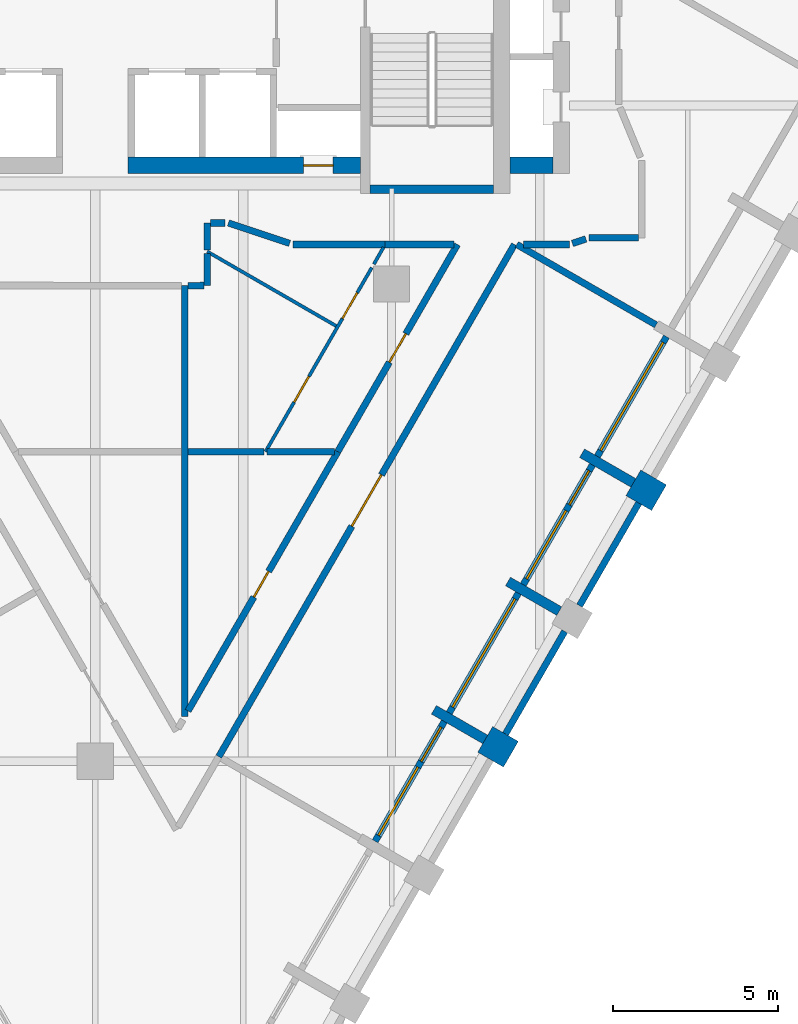
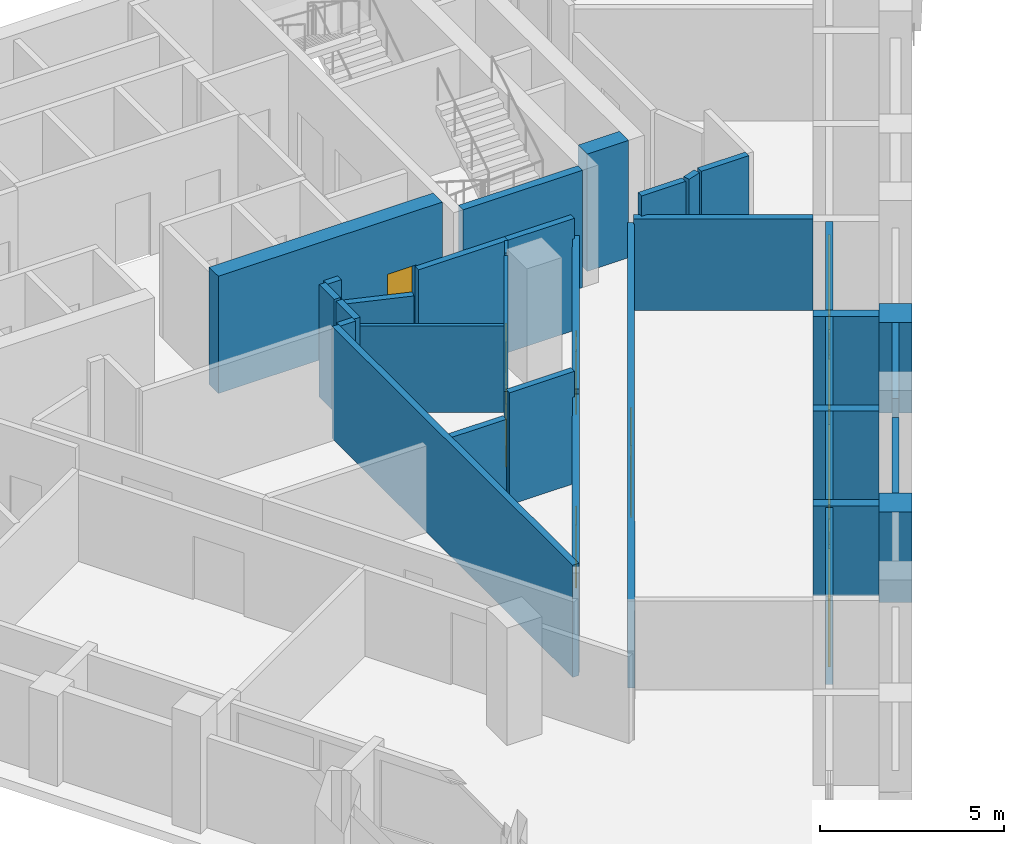
# One storey, part 4 of 9: 34 walls, 8 doors, 4 windows, 12 openings.
"""IFC4 building model written with IfcOpenShell, lengths in metres."""

from ifc_helpers import new_model, si_unit, direction, frame, frame_2d, origin, place, context, subcontext, project, spatial, polyline, rectangle, outline, extrude, material, layer, layer_set, type_object, element, fill, save


model = new_model("IFC4")

# Units and contexts
model_context = context("Model", 3, precision=1e-05, world=origin(), true_north=direction((0.0, 1.0)))
body_context = subcontext(model_context, "Body", "Model", "MODEL_VIEW")
ifc_project = project(units=[si_unit("LENGTHUNIT", "METRE"), si_unit("AREAUNIT", "SQUARE_METRE"), si_unit("VOLUMEUNIT", "CUBIC_METRE"), si_unit("PLANEANGLEUNIT", "RADIAN"), si_unit("MASSUNIT", "GRAM", prefix="KILO")], contexts=[model_context])

# Site, building, storey
site_placement = place(None, origin())
site = spatial("IfcSite", under=ifc_project, at=site_placement, CompositionType="ELEMENT")
building_placement = place(site_placement, origin())
building = spatial("IfcBuilding", under=site, at=building_placement, Name="Calabash Gate Tower", CompositionType="ELEMENT")
storey_placement = place(building_placement, frame((0.0, 0.0, 196.39990234375)))
storey = spatial("IfcBuildingStorey", under=building, at=storey_placement, Name="L46", CompositionType="ELEMENT", Elevation=196.39990234375)

# Walls
ifc_material_1 = material(Name="Terracotta brick masonry, exposed face", Category="masonry")
ifc_layer_1 = layer(ifc_material_1, 0.89990234375)
ifc_layer_set_1 = layer_set([ifc_layer_1], Name="Brick end wall 900")
wall_type_1 = type_object("IfcWallType", Name="Brick end wall 900", PredefinedType="SOLIDWALL", material=ifc_layer_set_1)
for number, where, z_axis, x_axis, name in (
    (1, (11.84619140625, -11.33740234375, 0.0), (0.0, 0.0, 1.0), (0.865896406789, -0.500223362819, 0.0), "Brick pier S13 SE2.3"),
    (2, (17.12548828125, -3.9931640625, 0.0), (0.0, 0.0, 1.0), (-0.866013897511, 0.50001992892, 0.0), "Brick pier S13 SE2.5"),
):
    element("IfcWall", number, at=place(storey_placement, frame(where, z_axis=z_axis, x_axis=x_axis)), inside=storey, type_object=wall_type_1, Name=name, PredefinedType="SOLIDWALL", context=body_context, shape_type="SweptSolid", body=[
        extrude(rectangle(XDim=0.89990234375, YDim=0.89990234375, at=frame_2d((0.449951171875, 0.0))), origin(), (0.0, 0.0, 1.0), 3.0),
    ])
ifc_material_2 = material(Name="Terracotta brick masonry, exposed face", Category="masonry")
ifc_layer_2 = layer(ifc_material_2, 0.300048828125)
ifc_layer_set_2 = layer_set([ifc_layer_2], Name="Brick loggia cheek wall 300")
wall_type_2 = type_object("IfcWallType", Name="Brick loggia cheek wall 300", PredefinedType="SOLIDWALL", material=ifc_layer_set_2)
wall_1_placement = place(storey_placement, frame((11.84619140625, -11.33740234375, 0.0), z_axis=(0.0, 0.0, 1.0), x_axis=(-0.866047807691, 0.499961193289, 0.0)))
element("IfcWall", 3, at=wall_1_placement, inside=storey, type_object=wall_type_2, Name="Loggia cheek S13 SE2.3", PredefinedType="SOLIDWALL", context=body_context, shape_type="SweptSolid", body=[
    extrude(rectangle(XDim=1.800048828125, YDim=0.300048828125, at=frame_2d((0.89990234375, 0.0))), origin(), (0.0, 0.0, 1.0), 3.0),
])
wall_2_placement = place(storey_placement, frame((14.09521484375, -7.43994140625, 0.0), z_axis=(0.0, 0.0, 1.0), x_axis=(-0.86597086914, 0.50009444488, 0.0)))
element("IfcWall", 4, at=wall_2_placement, inside=storey, type_object=wall_type_2, Name="Loggia cheek S13 SE2.4", PredefinedType="SOLIDWALL", context=body_context, shape_type="SweptSolid", body=[
    extrude(rectangle(XDim=1.799072265625, YDim=0.300048828125, at=frame_2d((0.8994140625, 0.0))), origin(), (0.0, 0.0, 1.0), 3.0),
])
wall_3_placement = place(storey_placement, frame((16.34619140625, -3.543212890625, 0.0), z_axis=(0.0, 0.0, 1.0), x_axis=(-0.866047807691, 0.499961193289, 0.0)))
element("IfcWall", 5, at=wall_3_placement, inside=storey, type_object=wall_type_2, Name="Loggia cheek S13 SE2.5", PredefinedType="SOLIDWALL", context=body_context, shape_type="SweptSolid", body=[
    extrude(rectangle(XDim=1.800048828125, YDim=0.300048828125, at=frame_2d((0.89990234375, 0.0))), origin(), (0.0, 0.0, 1.0), 3.0),
])
ifc_material_3 = material(Name="Concrete C70/85", Category="concrete")
ifc_layer_3 = layer(ifc_material_3, 0.25)
ifc_layer_set_3 = layer_set([ifc_layer_3], Name="Core wall 250 Concrete C70/85")
wall_type_3 = type_object("IfcWallType", Name="Core wall 250 Concrete C70/85", PredefinedType="SHEAR", material=ifc_layer_set_3)
wall_4_placement = place(storey_placement, frame((8.35009765625, 5.377685546875, 0.0), z_axis=(0.0, 0.0, 1.0), x_axis=(1.0, 0.0, 0.0)))
element("IfcWall", 6, at=wall_4_placement, inside=storey, type_object=wall_type_3, Name="Core wall Z4-SSE L46", PredefinedType="SHEAR", context=body_context, shape_type="SweptSolid", body=[
    extrude(rectangle(XDim=3.75, YDim=0.25, at=frame_2d((1.875, 0.0))), origin(), (0.0, 0.0, 1.0), 3.900146484375),
])

# Wall, opening, door
ifc_material_4 = material(Name="Concrete C70/85", Category="concrete")
ifc_layer_4 = layer(ifc_material_4, 0.5)
ifc_layer_set_4 = layer_set([ifc_layer_4], Name="Core wall 500 Concrete C70/85")
wall_type_4 = type_object("IfcWallType", Name="Core wall 500 Concrete C70/85", PredefinedType="SHEAR", material=ifc_layer_set_4)
wall_5_placement = place(storey_placement, frame((1.0, 6.1025390625, 0.0), z_axis=(0.0, 0.0, 1.0), x_axis=(1.0, 0.0, 0.0)))
wall_5 = element("IfcWall", 7, at=wall_5_placement, inside=storey, type_object=wall_type_4, Name="Core wall Z4-SB L46", PredefinedType="SHEAR", context=body_context, shape_type="SweptSolid", body=[
    extrude(rectangle(XDim=7.050048828125, YDim=0.5, at=frame_2d((3.52490234375, 0.0))), origin(), (0.0, 0.0, 1.0), 3.900146484375),
])
opening_1_placement = place(wall_5_placement, frame((5.324951171875, 0.0, 0.0)))
opening_1 = element("IfcOpeningElement", 8, at=opening_1_placement, cuts=wall_5, Name="Opening O5-016", PredefinedType="OPENING", context=body_context, shape_type="SweptSolid", body=[
    extrude(rectangle(XDim=0.89990234375, YDim=2.10009765625, at=frame_2d((0.449951171875, 1.050048828125))), frame((0.0, 0.260009765625, 0.0), z_axis=(0.0, -1.0, 0.0), x_axis=(1.0, 0.0, 0.0)), (0.0, 0.0, 1.0), 0.52001953125),
])
ifc_material_5 = material(Name="Steel fire door set with fire-resisting glazing", Category="steel")
door_type_1 = type_object("IfcDoorType", Name="Fire door D07 900x2100 FD90", OperationType="NOTDEFINED", PredefinedType="DOOR", material=ifc_material_5)
door_1_placement = place(opening_1_placement, origin())
door_1 = element("IfcDoor", 9, at=door_1_placement, inside=storey, type_object=door_type_1, Name="Mechanical Riser E door", OperationType="SINGLE_SWING_RIGHT", OverallHeight=2.10009765625, OverallWidth=0.89990234375, PredefinedType="DOOR", context=body_context, shape_type="SweptSolid", body=[
    extrude(rectangle(XDim=0.89990234375, YDim=2.10009765625, at=frame_2d((0.449951171875, 1.050048828125))), frame((0.0, 0.02490234375, 0.0), z_axis=(0.0, -1.0, 0.0), x_axis=(1.0, 0.0, 0.0)), (0.0, 0.0, 1.0), 0.050048828125),
])
fill(opening_1, door_1)

# Wall
wall_6_placement = place(storey_placement, frame((12.60009765625, 6.1025390625, 0.0), z_axis=(0.0, 0.0, 1.0), x_axis=(1.0, 0.0, 0.0)))
element("IfcWall", 10, at=wall_6_placement, inside=storey, type_object=wall_type_4, Name="Core wall Z4-SE L46", PredefinedType="SHEAR", context=body_context, shape_type="SweptSolid", body=[
    extrude(rectangle(XDim=1.2998046875, YDim=0.5, at=frame_2d((0.64990234375, 0.0))), origin(), (0.0, 0.0, 1.0), 3.900146484375),
])

# Wall, openings, doors
ifc_material_6 = material(Name="Gypsum board on steel studs, mineral wool", Category="steel")
ifc_layer_5 = layer(ifc_material_6, 0.10009765625)
ifc_layer_set_5 = layer_set([ifc_layer_5], Name="Partition 100 gypsum board")
wall_type_5 = type_object("IfcWallType", Name="Partition 100 gypsum board", PredefinedType="PARTITIONING", material=ifc_layer_set_5)
wall_7_placement = place(storey_placement, frame((5.17138671875, -2.5947265625, 0.0), z_axis=(0.0, 0.0, 1.0), x_axis=(0.499959304802, 0.866048897893, 0.0)))
wall_7 = element("IfcWall", 11, at=wall_7_placement, inside=storey, type_object=wall_type_5, Name="Partition", PredefinedType="PARTITIONING", context=body_context, shape_type="SweptSolid", body=[
    extrude(rectangle(XDim=6.4541015625, YDim=0.10009765625, at=frame_2d((3.22705078125, 0.0))), origin(), (0.0, 0.0, 1.0), 3.72998046875),
])
opening_2_placement = place(wall_7_placement, frame((1.7392578125, 0.0, 0.0)))
opening_2 = element("IfcOpeningElement", 12, at=opening_2_placement, cuts=wall_7, Name="Opening 46-48-014", PredefinedType="OPENING", context=body_context, shape_type="SweptSolid", body=[
    extrude(rectangle(XDim=0.89990234375, YDim=2.10009765625, at=frame_2d((0.449951171875, 1.050048828125))), frame((0.0, 0.06005859375, 0.0), z_axis=(0.0, -1.0, 0.0), x_axis=(1.0, 0.0, 0.0)), (0.0, 0.0, 1.0), 0.1201171875),
])
opening_3_placement = place(wall_7_placement, frame((4.67333984375, 0.0, 0.0)))
opening_3 = element("IfcOpeningElement", 13, at=opening_3_placement, cuts=wall_7, Name="Opening 46-48-015", PredefinedType="OPENING", context=body_context, shape_type="SweptSolid", body=[
    extrude(rectangle(XDim=0.89990234375, YDim=2.10009765625, at=frame_2d((0.449951171875, 1.050048828125))), frame((0.0, 0.06005859375, 0.0), z_axis=(0.0, -1.0, 0.0), x_axis=(1.0, 0.0, 0.0)), (0.0, 0.0, 1.0), 0.1201171875),
])
ifc_material_7 = material(Name="Painted timber door", Category="wood")
door_type_2 = type_object("IfcDoorType", Name="WD1 WC door 900x2100", OperationType="NOTDEFINED", PredefinedType="DOOR", material=ifc_material_7)
door_2_placement = place(opening_2_placement, origin())
door_2 = element("IfcDoor", 14, at=door_2_placement, inside=storey, type_object=door_type_2, Name="WC door", OperationType="SINGLE_SWING_LEFT", OverallHeight=2.10009765625, OverallWidth=0.89990234375, PredefinedType="DOOR", context=body_context, shape_type="SweptSolid", body=[
    extrude(rectangle(XDim=0.89990234375, YDim=2.10009765625, at=frame_2d((0.449951171875, 1.050048828125))), frame((0.0, 0.02490234375, 0.0), z_axis=(0.0, -1.0, 0.0), x_axis=(1.0, 0.0, 0.0)), (0.0, 0.0, 1.0), 0.050048828125),
])
fill(opening_2, door_2)
door_3_placement = place(opening_3_placement, origin())
door_3 = element("IfcDoor", 15, at=door_3_placement, inside=storey, type_object=door_type_2, Name="WC door", OperationType="SINGLE_SWING_RIGHT", OverallHeight=2.10009765625, OverallWidth=0.89990234375, PredefinedType="DOOR", context=body_context, shape_type="SweptSolid", body=[
    extrude(rectangle(XDim=0.89990234375, YDim=2.10009765625, at=frame_2d((0.449951171875, 1.050048828125))), frame((0.0, 0.02490234375, 0.0), z_axis=(0.0, -1.0, 0.0), x_axis=(1.0, 0.0, 0.0)), (0.0, 0.0, 1.0), 0.050048828125),
])
fill(opening_3, door_3)

# Walls
wall_8_placement = place(storey_placement, frame((8.461181640625, 3.10009765625, 0.0), z_axis=(0.0, 0.0, 1.0), x_axis=(0.497827271586, 0.867276200334, 0.0)))
element("IfcWall", 16, at=wall_8_placement, inside=storey, type_object=wall_type_5, Name="Partition", PredefinedType="PARTITIONING", context=body_context, shape_type="SweptSolid", body=[
    extrude(rectangle(XDim=0.591552734375, YDim=0.10009765625, at=frame_2d((0.2958984375, 0.0))), origin(), (0.0, 0.0, 1.0), 3.72998046875),
])
wall_9_placement = place(storey_placement, frame((3.400390625, 3.484375, 0.0), z_axis=(0.0, 0.0, 1.0), x_axis=(0.866039077776, -0.499976315204, 0.0)))
element("IfcWall", 17, at=wall_9_placement, inside=storey, type_object=wall_type_5, Name="Partition", PredefinedType="PARTITIONING", context=body_context, shape_type="SweptSolid", body=[
    extrude(rectangle(XDim=4.523193359375, YDim=0.10009765625, at=frame_2d((2.26171875, 0.0))), origin(), (0.0, 0.0, 1.0), 2.88427734375),
])

# Wall, opening, door
ifc_material_8 = material(Name="Gypsum board on steel studs, mineral wool", Category="steel")
ifc_layer_6 = layer(ifc_material_8, 0.199951171875)
ifc_layer_set_6 = layer_set([ifc_layer_6], Name="Partition 200 gypsum board EI 60")
wall_type_6 = type_object("IfcWallType", Name="Partition 200 gypsum board EI 60", PredefinedType="PARTITIONING", material=ifc_layer_set_6)
wall_10_placement = place(storey_placement, frame((2.81689453125, -10.47265625, 0.0), z_axis=(0.0, 0.0, 1.0), x_axis=(0.500185489254, 0.865918285024, 0.0)))
wall_10 = element("IfcWall", 18, at=wall_10_placement, inside=storey, type_object=wall_type_6, Name="Partition", PredefinedType="PARTITIONING", context=body_context, shape_type="SweptSolid", body=[
    extrude(rectangle(XDim=9.09716796875, YDim=0.199951171875, at=frame_2d((4.548583984375, 0.0))), origin(), (0.0, 0.0, 1.0), 2.88427734375),
])
opening_4_placement = place(wall_10_placement, frame((3.995361328125, 0.0, 0.0)))
opening_4 = element("IfcOpeningElement", 19, at=opening_4_placement, cuts=wall_10, Name="Opening 46-48-005", PredefinedType="OPENING", context=body_context, shape_type="SweptSolid", body=[
    extrude(rectangle(XDim=0.89990234375, YDim=2.10009765625, at=frame_2d((0.449951171875, 1.050048828125))), frame((0.0, 0.10986328125, 0.0), z_axis=(0.0, -1.0, 0.0), x_axis=(1.0, 0.0, 0.0)), (0.0, 0.0, 1.0), 0.219970703125),
])
ifc_material_9 = material(Name="Steel fire door set with fire-resisting glazing", Category="steel")
door_type_3 = type_object("IfcDoorType", Name="SD3 Store door 900x2100", OperationType="NOTDEFINED", PredefinedType="DOOR", material=ifc_material_9)
door_4_placement = place(opening_4_placement, origin())
door_4 = element("IfcDoor", 20, at=door_4_placement, inside=storey, type_object=door_type_3, Name="Store door", OperationType="SINGLE_SWING_LEFT", OverallHeight=2.10009765625, OverallWidth=0.89990234375, PredefinedType="DOOR", context=body_context, shape_type="SweptSolid", body=[
    extrude(rectangle(XDim=0.89990234375, YDim=2.10009765625, at=frame_2d((0.449951171875, 1.050048828125))), frame((0.0, 0.02490234375, 0.0), z_axis=(0.0, -1.0, 0.0), x_axis=(1.0, 0.0, 0.0)), (0.0, 0.0, 1.0), 0.050048828125),
])
fill(opening_4, door_4)

# Walls
wall_11_placement = place(storey_placement, frame((2.81689453125, -2.593017578125, 0.0), z_axis=(0.0, 0.0, 1.0), x_axis=(1.0, 0.0, 0.0)))
element("IfcWall", 21, at=wall_11_placement, inside=storey, type_object=wall_type_6, Name="Partition", PredefinedType="PARTITIONING", context=body_context, shape_type="SweptSolid", body=[
    extrude(rectangle(XDim=2.307373046875, YDim=0.199951171875, at=frame_2d((1.15380859375, 0.0))), origin(), (0.0, 0.0, 1.0), 2.88427734375),
])
wall_12_placement = place(storey_placement, frame((5.223388671875, -2.5947265625, 0.0), z_axis=(0.0, 0.0, 1.0), x_axis=(0.999999821446, 0.000597585647, 0.0)))
element("IfcWall", 22, at=wall_12_placement, inside=storey, type_object=wall_type_6, Name="Partition", PredefinedType="PARTITIONING", context=body_context, shape_type="SweptSolid", body=[
    extrude(rectangle(XDim=2.042724609375, YDim=0.199951171875, at=frame_2d((1.021484375, 0.0))), origin(), (0.0, 0.0, 1.0), 3.72998046875),
])

# Wall, opening, door
wall_13_placement = place(storey_placement, frame((7.365966796875, -2.59326171875, 0.0), z_axis=(0.0, 0.0, 1.0), x_axis=(0.500232263529, 0.865891264839, 0.0)))
wall_13 = element("IfcWall", 23, at=wall_13_placement, inside=storey, type_object=wall_type_6, Name="Partition", PredefinedType="PARTITIONING", context=body_context, shape_type="SweptSolid", body=[
    extrude(rectangle(XDim=7.267578125, YDim=0.199951171875, at=frame_2d((3.6337890625, 0.0))), origin(), (0.0, 0.0, 1.0), 3.052001953125),
])
opening_5_placement = place(wall_13_placement, frame((3.133544921875, 0.0, 0.0)))
opening_5 = element("IfcOpeningElement", 24, at=opening_5_placement, cuts=wall_13, Name="Opening 46-48-013", PredefinedType="OPENING", context=body_context, shape_type="SweptSolid", body=[
    extrude(rectangle(XDim=1.0, YDim=2.10009765625, at=frame_2d((0.5, 1.050048828125))), frame((0.0, 0.10986328125, 0.0), z_axis=(0.0, -1.0, 0.0), x_axis=(1.0, 0.0, 0.0)), (0.0, 0.0, 1.0), 0.219970703125),
])
ifc_material_10 = material(Name="Steel fire door set with fire-resisting glazing", Category="steel")
door_type_4 = type_object("IfcDoorType", Name="WD3 WC lobby door 1000x2100", OperationType="NOTDEFINED", PredefinedType="DOOR", material=ifc_material_10)
door_5_placement = place(opening_5_placement, origin())
door_5 = element("IfcDoor", 25, at=door_5_placement, inside=storey, type_object=door_type_4, Name="WC lobby door", OperationType="SINGLE_SWING_LEFT", OverallHeight=2.10009765625, OverallWidth=1.0, PredefinedType="DOOR", context=body_context, shape_type="SweptSolid", body=[
    extrude(rectangle(XDim=1.0, YDim=2.10009765625, at=frame_2d((0.5, 1.050048828125))), frame((0.0, 0.02490234375, 0.0), z_axis=(0.0, -1.0, 0.0), x_axis=(1.0, 0.0, 0.0)), (0.0, 0.0, 1.0), 0.050048828125),
])
fill(opening_5, door_5)

# Walls
wall_14_placement = place(storey_placement, frame((2.717041015625, -10.645751953125, 0.0), z_axis=(0.0, 0.0, 1.0), x_axis=(0.0, 1.0, 0.0)))
element("IfcWall", 26, at=wall_14_placement, inside=storey, type_object=wall_type_6, Name="Partition", PredefinedType="PARTITIONING", context=body_context, shape_type="SweptSolid", body=[
    extrude(rectangle(XDim=13.096435546875, YDim=0.199951171875, at=frame_2d((6.54833984375, 0.0))), origin(), (0.0, 0.0, 1.0), 3.72998046875),
])
wall_15_placement = place(storey_placement, frame((2.81689453125, 2.45068359375, 0.0), z_axis=(0.0, 0.0, 1.0), x_axis=(0.999995404022, 0.003031820325, 0.0)))
element("IfcWall", 27, at=wall_15_placement, inside=storey, type_object=wall_type_6, Name="Partition", PredefinedType="PARTITIONING", context=body_context, shape_type="SweptSolid", body=[
    extrude(rectangle(XDim=0.483154296875, YDim=0.199951171875, at=frame_2d((0.24169921875, 0.0))), origin(), (0.0, 0.0, 1.0), 3.72998046875),
])
wall_16_placement = place(storey_placement, frame((3.39990234375, 2.452392578125, 0.0), z_axis=(0.0, 0.0, 1.0), x_axis=(0.001995008499, 0.999998009969, 0.0)))
element("IfcWall", 28, at=wall_16_placement, inside=storey, type_object=wall_type_6, Name="Partition", PredefinedType="PARTITIONING", context=body_context, shape_type="SweptSolid", body=[
    extrude(rectangle(XDim=0.97900390625, YDim=0.199951171875, at=frame_2d((0.489501953125, 0.0))), origin(), (0.0, 0.0, 1.0), 3.72998046875),
])
wall_17_placement = place(storey_placement, frame((6.0, 3.69970703125, 0.0), z_axis=(0.0, 0.0, 1.0), x_axis=(0.999999814584, -0.000608960305, 0.0)))
element("IfcWall", 29, at=wall_17_placement, inside=storey, type_object=wall_type_6, Name="Partition", PredefinedType="PARTITIONING", context=body_context, shape_type="SweptSolid", body=[
    extrude(rectangle(XDim=2.806396484375, YDim=0.199951171875, at=frame_2d((1.4033203125, 0.0))), origin(), (0.0, 0.0, 1.0), 3.72998046875),
])
wall_18_placement = place(storey_placement, frame((8.806640625, 3.697998046875, 0.0), z_axis=(0.0, 0.0, 1.0), x_axis=(0.999999667194, 0.000815850544, 0.0)))
element("IfcWall", 30, at=wall_18_placement, inside=storey, type_object=wall_type_6, Name="Partition", PredefinedType="PARTITIONING", context=body_context, shape_type="SweptSolid", body=[
    extrude(rectangle(XDim=2.0947265625, YDim=0.199951171875, at=frame_2d((1.04736328125, 0.0))), origin(), (0.0, 0.0, 1.0), 3.72998046875),
])

# Wall, opening, door
wall_19_placement = place(storey_placement, frame((3.752197265625, -11.860595703125, 0.0), z_axis=(0.0, 0.0, 1.0), x_axis=(0.499914191036, 0.866074939945, 0.0)))
wall_19 = element("IfcWall", 31, at=wall_19_placement, inside=storey, type_object=wall_type_6, Name="Partition", PredefinedType="PARTITIONING", context=body_context, shape_type="SweptSolid", body=[
    extrude(rectangle(XDim=17.966552734375, YDim=0.199951171875, at=frame_2d((8.9833984375, 0.0))), origin(), (0.0, 0.0, 1.0), 2.88427734375),
])
opening_6_placement = place(wall_19_placement, frame((8.083251953125, 0.0, 0.0)))
opening_6 = element("IfcOpeningElement", 32, at=opening_6_placement, cuts=wall_19, Name="Opening 46-48-002", PredefinedType="OPENING", context=body_context, shape_type="SweptSolid", body=[
    extrude(rectangle(XDim=1.800048828125, YDim=2.39990234375, at=frame_2d((0.89990234375, 1.199951171875))), frame((0.0, 0.10986328125, 0.0), z_axis=(0.0, -1.0, 0.0), x_axis=(1.0, 0.0, 0.0)), (0.0, 0.0, 1.0), 0.219970703125),
])
ifc_material_11 = material(Name="Steel fire door set with fire-resisting glazing", Category="steel")
door_type_5 = type_object("IfcDoorType", Name="OD5 Open office double door 1800x2400", OperationType="NOTDEFINED", PredefinedType="DOOR", material=ifc_material_11)
door_6_placement = place(opening_6_placement, origin())
door_6 = element("IfcDoor", 33, at=door_6_placement, inside=storey, type_object=door_type_5, Name="Open office double door", OperationType="DOUBLE_DOOR_SINGLE_SWING", OverallHeight=2.39990234375, OverallWidth=1.800048828125, PredefinedType="DOOR", context=body_context, shape_type="SweptSolid", body=[
    extrude(rectangle(XDim=1.800048828125, YDim=2.39990234375, at=frame_2d((0.89990234375, 1.199951171875))), frame((0.0, 0.02490234375, 0.0), z_axis=(0.0, -1.0, 0.0), x_axis=(1.0, 0.0, 0.0)), (0.0, 0.0, 1.0), 0.050048828125),
])
fill(opening_6, door_6)

# Walls
wall_20_placement = place(storey_placement, frame((12.805419921875, 3.699462890625, 0.0), z_axis=(0.0, 0.0, 1.0), x_axis=(0.865881901496, -0.500248470925, 0.0)))
element("IfcWall", 34, at=wall_20_placement, inside=storey, type_object=wall_type_6, Name="Partition", PredefinedType="PARTITIONING", context=body_context, shape_type="SweptSolid", body=[
    extrude(rectangle(XDim=4.8876953125, YDim=0.199951171875, at=frame_2d((2.44384765625, 0.0))), origin(), (0.0, 0.0, 1.0), 3.052001953125),
])
wall_21_placement = place(storey_placement, frame((13.007568359375, 3.6982421875, 0.0), z_axis=(0.0, 0.0, 1.0), x_axis=(0.999999615671, 0.000876731208, 0.0)))
element("IfcWall", 35, at=wall_21_placement, inside=storey, type_object=wall_type_6, Name="Partition", PredefinedType="PARTITIONING", context=body_context, shape_type="SweptSolid", body=[
    extrude(rectangle(XDim=1.392333984375, YDim=0.199951171875, at=frame_2d((0.6962890625, 0.0))), origin(), (0.0, 0.0, 1.0), 3.72998046875),
])
wall_22_placement = place(storey_placement, frame((4.042236328125, 4.352294921875, 0.0), z_axis=(0.0, 0.0, 1.0), x_axis=(0.948695731075, -0.316190464499, 0.0)))
element("IfcWall", 36, at=wall_22_placement, inside=storey, type_object=wall_type_6, Name="Partition", PredefinedType="PARTITIONING", context=body_context, shape_type="SweptSolid", body=[
    extrude(rectangle(XDim=1.963623046875, YDim=0.199951171875, at=frame_2d((0.98193359375, 0.0))), origin(), (0.0, 0.0, 1.0), 2.88427734375),
])
wall_23_placement = place(storey_placement, frame((14.494873046875, 3.731201171875, 0.0), z_axis=(0.0, 0.0, 1.0), x_axis=(0.948739721949, 0.316058443957, 0.0)))
element("IfcWall", 37, at=wall_23_placement, inside=storey, type_object=wall_type_6, Name="Partition", PredefinedType="PARTITIONING", context=body_context, shape_type="SweptSolid", body=[
    extrude(rectangle(XDim=0.4326171875, YDim=0.199951171875, at=frame_2d((0.21630859375, 0.0))), origin(), (0.0, 0.0, 1.0), 3.72998046875),
])
wall_24_placement = place(storey_placement, frame((15.0, 3.8994140625, 0.0), z_axis=(0.0, 0.0, 1.0), x_axis=(0.999999947053, 0.000325414887, 0.0)))
element("IfcWall", 38, at=wall_24_placement, inside=storey, type_object=wall_type_6, Name="Partition", PredefinedType="PARTITIONING", context=body_context, shape_type="SweptSolid", body=[
    extrude(rectangle(XDim=1.50048828125, YDim=0.199951171875, at=frame_2d((0.750244140625, 0.0))), origin(), (0.0, 0.0, 1.0), 3.72998046875),
])
wall_25_placement = place(storey_placement, frame((3.402099609375, 3.531494140625, 0.0), z_axis=(0.0, 0.0, 1.0), x_axis=(0.0, 1.0, 0.0)))
element("IfcWall", 39, at=wall_25_placement, inside=storey, type_object=wall_type_6, Name="Partition", PredefinedType="PARTITIONING", context=body_context, shape_type="SweptSolid", body=[
    extrude(rectangle(XDim=0.819091796875, YDim=0.199951171875, at=frame_2d((0.40966796875, 0.0))), origin(), (0.0, 0.0, 1.0), 3.72998046875),
])
wall_26_placement = place(storey_placement, frame((3.501953125, 4.350830078125, 0.0), z_axis=(0.0, 0.0, 1.0), x_axis=(0.999996159087, 0.00277160798, 0.0)))
element("IfcWall", 40, at=wall_26_placement, inside=storey, type_object=wall_type_6, Name="Partition", PredefinedType="PARTITIONING", context=body_context, shape_type="SweptSolid", body=[
    extrude(rectangle(XDim=0.4404296875, YDim=0.199951171875, at=frame_2d((0.22021484375, 0.0))), origin(), (0.0, 0.0, 1.0), 3.72998046875),
])
ifc_material_12 = material(Name="Terracotta brick masonry, perforated", Category="masonry")
ifc_layer_7 = layer(ifc_material_12, 0.199951171875)
ifc_layer_set_7 = layer_set([ifc_layer_7], Name="Terracotta jaali screen A")
wall_type_7 = type_object("IfcWallType", Name="Terracotta jaali screen A", PredefinedType="SOLIDWALL", material=ifc_layer_set_7)
wall_27_placement = place(storey_placement, frame((12.4609375, -11.1728515625, 0.0), z_axis=(0.0, 0.0, 1.0), x_axis=(0.500012057535, 0.866018442252, 0.0)))
element("IfcWall", 41, at=wall_27_placement, inside=storey, type_object=wall_type_7, Name="SCREEN A S13 SE2.4", PredefinedType="SOLIDWALL", context=body_context, shape_type="SweptSolid", body=[
    extrude(rectangle(XDim=3.60009765625, YDim=0.199951171875, at=frame_2d((1.800048828125, 0.0))), origin(), (0.0, 0.0, 1.0), 3.0),
])
wall_28_placement = place(storey_placement, origin())
element("IfcWall", 42, at=wall_28_placement, inside=storey, type_object=wall_type_7, Name="SCREEN A S13 SE2.5", PredefinedType="SOLIDWALL", context=body_context, shape_type="SweptSolid", body=[
    extrude(outline(polyline([(16.42431640625, -4.10791015625), (14.625244140625, -7.223876953125), (14.798583984375, -7.32373046875), (16.597412109375, -4.2080078125), (16.42431640625, -4.10791015625)])), origin(), (0.0, 0.0, 1.0), 3.0),
])

# Wall, openings, door, window
ifc_material_13 = material(Name="Aluminium framed window wall with insulated spandrel", Category="aluminium")
ifc_layer_8 = layer(ifc_material_13, 0.199951171875)
ifc_layer_set_8 = layer_set([ifc_layer_8], Name="Window wall 200")
wall_type_8 = type_object("IfcWallType", Name="Window wall 200", PredefinedType="ELEMENTEDWALL", material=ifc_layer_set_8)
wall_29_placement = place(storey_placement, frame((8.501953125, -14.4296875, 0.0), z_axis=(0.0, 0.0, 1.0), x_axis=(0.500027713859, 0.866009402589, 0.0)))
wall_29 = element("IfcWall", 43, at=wall_29_placement, inside=storey, type_object=wall_type_8, Name="Window wall S13 SE2.3", PredefinedType="ELEMENTEDWALL", context=body_context, shape_type="SweptSolid", body=[
    extrude(rectangle(XDim=4.199951171875, YDim=0.199951171875, at=frame_2d((2.10009765625, 0.0))), origin(), (0.0, 0.0, 1.0), 2.9501953125),
])
opening_7_placement = place(wall_29_placement, frame((0.199951171875, 0.0, 0.449951171875)))
opening_7 = element("IfcOpeningElement", 44, at=opening_7_placement, cuts=wall_29, Name="Opening OW1", PredefinedType="OPENING", context=body_context, shape_type="SweptSolid", body=[
    extrude(rectangle(XDim=2.39990234375, YDim=2.25, at=frame_2d((1.199951171875, 1.125))), frame((0.0, 0.10986328125, 0.0), z_axis=(0.0, -1.0, 0.0), x_axis=(1.0, 0.0, 0.0)), (0.0, 0.0, 1.0), 0.219970703125),
])
opening_8_placement = place(wall_29_placement, frame((2.800048828125, 0.0, 0.0)))
opening_8 = element("IfcOpeningElement", 45, at=opening_8_placement, cuts=wall_29, Name="Opening O5-024", PredefinedType="OPENING", context=body_context, shape_type="SweptSolid", body=[
    extrude(rectangle(XDim=1.199951171875, YDim=2.699951171875, at=frame_2d((0.60009765625, 1.35009765625))), frame((0.0, 0.10986328125, 0.0), z_axis=(0.0, -1.0, 0.0), x_axis=(1.0, 0.0, 0.0)), (0.0, 0.0, 1.0), 0.219970703125),
])
ifc_material_14 = material(Name="Anodised aluminium frame, bronze finish, impact-rated laminated clear glazing", Category="aluminium")
door_type_6 = type_object("IfcDoorType", Name="Loggia door DO1 1200x2700", OperationType="SLIDING_TO_LEFT", PredefinedType="DOOR", material=ifc_material_14)
door_7_placement = place(opening_8_placement, origin())
door_7 = element("IfcDoor", 46, at=door_7_placement, inside=storey, type_object=door_type_6, Name="Loggia door S13 SE2.3", OperationType="SINGLE_SWING_LEFT", OverallHeight=2.699951171875, OverallWidth=1.199951171875, PredefinedType="DOOR", context=body_context, shape_type="SweptSolid", body=[
    extrude(rectangle(XDim=1.199951171875, YDim=2.699951171875, at=frame_2d((0.60009765625, 1.35009765625))), frame((0.0, 0.02490234375, 0.0), z_axis=(0.0, -1.0, 0.0), x_axis=(1.0, 0.0, 0.0)), (0.0, 0.0, 1.0), 0.050048828125),
])
fill(opening_8, door_7)
ifc_material_15 = material(Name="Anodised aluminium frame, bronze finish, impact-rated laminated clear glazing", Category="aluminium")
window_type_1 = type_object("IfcWindowType", Name="Window OW1 2400x2250", PartitioningType="DOUBLE_PANEL_VERTICAL", PredefinedType="WINDOW", material=ifc_material_15)
window_1_placement = place(opening_7_placement, origin())
window_1 = element("IfcWindow", 47, at=window_1_placement, inside=storey, type_object=window_type_1, Name="Window OW1 S13 SE2.3", OverallHeight=2.25, OverallWidth=2.39990234375, PartitioningType="SINGLE_PANEL", PredefinedType="WINDOW", context=body_context, shape_type="SweptSolid", body=[
    extrude(rectangle(XDim=2.39990234375, YDim=2.25, at=frame_2d((1.199951171875, 1.125))), frame((0.0, 0.030029296875, 0.0), z_axis=(0.0, -1.0, 0.0), x_axis=(1.0, 0.0, 0.0)), (0.0, 0.0, 1.0), 0.06005859375),
])
fill(opening_7, window_1)

# Wall, opening, window
wall_30_placement = place(storey_placement, frame((10.751953125, -10.532470703125, 0.0), z_axis=(0.0, 0.0, 1.0), x_axis=(0.500027713859, 0.866009402589, 0.0)))
wall_30 = element("IfcWall", 48, at=wall_30_placement, inside=storey, type_object=wall_type_8, Name="Window wall S13 SE2.4", PredefinedType="ELEMENTEDWALL", context=body_context, shape_type="SweptSolid", body=[
    extrude(rectangle(XDim=4.199951171875, YDim=0.199951171875, at=frame_2d((2.10009765625, 0.0))), origin(), (0.0, 0.0, 1.0), 3.0),
])
opening_9_placement = place(wall_30_placement, frame((0.199951171875, 0.0, 0.449951171875)))
opening_9 = element("IfcOpeningElement", 49, at=opening_9_placement, cuts=wall_30, Name="Opening OW2", PredefinedType="OPENING", context=body_context, shape_type="SweptSolid", body=[
    extrude(rectangle(XDim=3.800048828125, YDim=2.25, at=frame_2d((1.89990234375, 1.125))), frame((0.0, 0.10986328125, 0.0), z_axis=(0.0, -1.0, 0.0), x_axis=(1.0, 0.0, 0.0)), (0.0, 0.0, 1.0), 0.219970703125),
])
ifc_material_16 = material(Name="Anodised aluminium frame, bronze finish, impact-rated laminated clear glazing", Category="aluminium")
window_type_2 = type_object("IfcWindowType", Name="Window OW2 3800x2250", PartitioningType="TRIPLE_PANEL_VERTICAL", PredefinedType="WINDOW", material=ifc_material_16)
window_2_placement = place(opening_9_placement, origin())
window_2 = element("IfcWindow", 50, at=window_2_placement, inside=storey, type_object=window_type_2, Name="Window OW2 S13 SE2.4", OverallHeight=2.25, OverallWidth=3.800048828125, PartitioningType="SINGLE_PANEL", PredefinedType="WINDOW", context=body_context, shape_type="SweptSolid", body=[
    extrude(rectangle(XDim=3.800048828125, YDim=2.25, at=frame_2d((1.89990234375, 1.125))), frame((0.0, 0.030029296875, 0.0), z_axis=(0.0, -1.0, 0.0), x_axis=(1.0, 0.0, 0.0)), (0.0, 0.0, 1.0), 0.06005859375),
])
fill(opening_9, window_2)

# Wall, openings, door, window
wall_31_placement = place(storey_placement, frame((13.001953125, -6.635498046875, 0.0), z_axis=(0.0, 0.0, 1.0), x_axis=(0.500002543286, 0.866023935413, 0.0)))
wall_31 = element("IfcWall", 51, at=wall_31_placement, inside=storey, type_object=wall_type_8, Name="Window wall S13 SE2.5", PredefinedType="ELEMENTEDWALL", context=body_context, shape_type="SweptSolid", body=[
    extrude(rectangle(XDim=4.2001953125, YDim=0.199951171875, at=frame_2d((2.10009765625, 0.0))), origin(), (0.0, 0.0, 1.0), 3.0),
])
opening_10_placement = place(wall_31_placement, frame((0.199951171875, 0.0, 0.449951171875)))
opening_10 = element("IfcOpeningElement", 52, at=opening_10_placement, cuts=wall_31, Name="Opening OW1", PredefinedType="OPENING", context=body_context, shape_type="SweptSolid", body=[
    extrude(rectangle(XDim=2.39990234375, YDim=2.25, at=frame_2d((1.199951171875, 1.125))), frame((0.0, 0.10986328125, 0.0), z_axis=(0.0, -1.0, 0.0), x_axis=(1.0, 0.0, 0.0)), (0.0, 0.0, 1.0), 0.219970703125),
])
opening_11_placement = place(wall_31_placement, frame((2.800048828125, 0.0, 0.0)))
opening_11 = element("IfcOpeningElement", 53, at=opening_11_placement, cuts=wall_31, Name="Opening O5-025", PredefinedType="OPENING", context=body_context, shape_type="SweptSolid", body=[
    extrude(rectangle(XDim=1.199951171875, YDim=2.699951171875, at=frame_2d((0.60009765625, 1.35009765625))), frame((0.0, 0.10986328125, 0.0), z_axis=(0.0, -1.0, 0.0), x_axis=(1.0, 0.0, 0.0)), (0.0, 0.0, 1.0), 0.219970703125),
])
door_8_placement = place(opening_11_placement, origin())
door_8 = element("IfcDoor", 54, at=door_8_placement, inside=storey, type_object=door_type_6, Name="Loggia door S13 SE2.5", OperationType="SINGLE_SWING_LEFT", OverallHeight=2.699951171875, OverallWidth=1.199951171875, PredefinedType="DOOR", context=body_context, shape_type="SweptSolid", body=[
    extrude(rectangle(XDim=1.199951171875, YDim=2.699951171875, at=frame_2d((0.60009765625, 1.35009765625))), frame((0.0, 0.02490234375, 0.0), z_axis=(0.0, -1.0, 0.0), x_axis=(1.0, 0.0, 0.0)), (0.0, 0.0, 1.0), 0.050048828125),
])
fill(opening_11, door_8)
window_3_placement = place(opening_10_placement, origin())
window_3 = element("IfcWindow", 55, at=window_3_placement, inside=storey, type_object=window_type_1, Name="Window OW1 S13 SE2.5", OverallHeight=2.25, OverallWidth=2.39990234375, PartitioningType="SINGLE_PANEL", PredefinedType="WINDOW", context=body_context, shape_type="SweptSolid", body=[
    extrude(rectangle(XDim=2.39990234375, YDim=2.25, at=frame_2d((1.199951171875, 1.125))), frame((0.0, 0.030029296875, 0.0), z_axis=(0.0, -1.0, 0.0), x_axis=(1.0, 0.0, 0.0)), (0.0, 0.0, 1.0), 0.06005859375),
])
fill(opening_10, window_3)

# Wall, opening, window
wall_32_placement = place(storey_placement, frame((15.251953125, -2.73828125, 0.0), z_axis=(0.0, 0.0, 1.0), x_axis=(0.500027713859, 0.866009402589, 0.0)))
wall_32 = element("IfcWall", 56, at=wall_32_placement, inside=storey, type_object=wall_type_8, Name="Window wall S13 SE2.6", PredefinedType="ELEMENTEDWALL", context=body_context, shape_type="SweptSolid", body=[
    extrude(rectangle(XDim=4.199951171875, YDim=0.199951171875, at=frame_2d((2.10009765625, 0.0))), origin(), (0.0, 0.0, 1.0), 3.0),
])
opening_12_placement = place(wall_32_placement, frame((0.199951171875, 0.0, 0.449951171875)))
opening_12 = element("IfcOpeningElement", 57, at=opening_12_placement, cuts=wall_32, Name="Opening OW2", PredefinedType="OPENING", context=body_context, shape_type="SweptSolid", body=[
    extrude(rectangle(XDim=3.800048828125, YDim=2.25, at=frame_2d((1.89990234375, 1.125))), frame((0.0, 0.10986328125, 0.0), z_axis=(0.0, -1.0, 0.0), x_axis=(1.0, 0.0, 0.0)), (0.0, 0.0, 1.0), 0.219970703125),
])
window_4_placement = place(opening_12_placement, origin())
window_4 = element("IfcWindow", 58, at=window_4_placement, inside=storey, type_object=window_type_2, Name="Window OW2 S13 SE2.6", OverallHeight=2.25, OverallWidth=3.800048828125, PartitioningType="SINGLE_PANEL", PredefinedType="WINDOW", context=body_context, shape_type="SweptSolid", body=[
    extrude(rectangle(XDim=3.800048828125, YDim=2.25, at=frame_2d((1.89990234375, 1.125))), frame((0.0, 0.030029296875, 0.0), z_axis=(0.0, -1.0, 0.0), x_axis=(1.0, 0.0, 0.0)), (0.0, 0.0, 1.0), 0.06005859375),
])
fill(opening_12, window_4)

save(model, "model.ifc")
